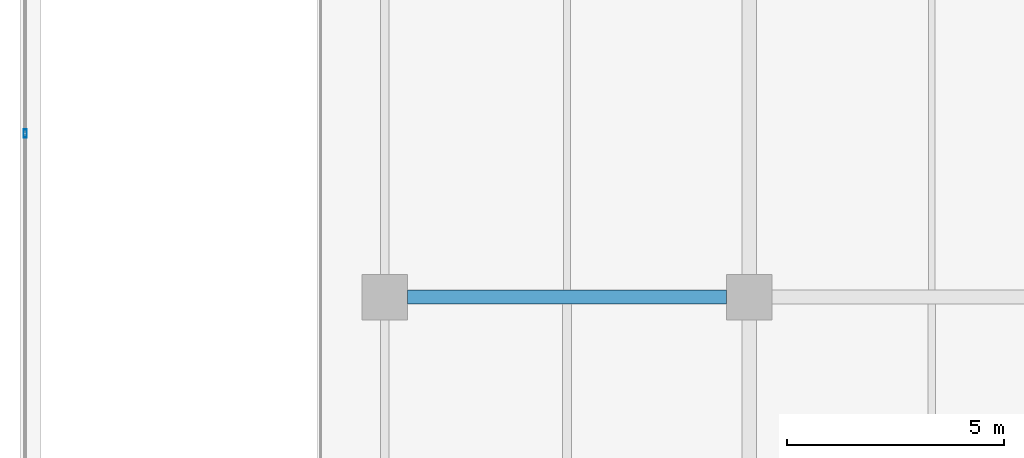
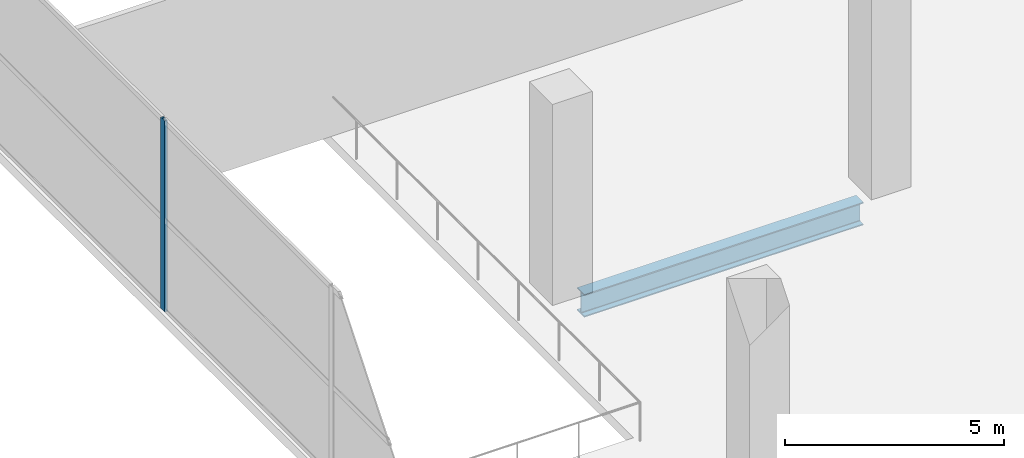
# One storey, part 10 of 35: 1 beam, 1 member, 1 element without a shape of its own.
"""IFC4 building model written with IfcOpenShell, lengths in metres."""

from ifc_helpers import new_model, si_unit, direction, frame, origin, origin_2d, place, context, subcontext, project, spatial, hollow_rectangle, i_section, extrude, material, layer, layer_set, material_profile, profile_set, type_object, element, aggregate, save


model = new_model("IFC4")

# Units and contexts
model_context = context("Model", 3, precision=1e-05, world=origin(), true_north=direction((0.0, 1.0)))
body_context = subcontext(model_context, "Body", "Model", "MODEL_VIEW")
ifc_project = project(units=[si_unit("LENGTHUNIT", "METRE"), si_unit("AREAUNIT", "SQUARE_METRE"), si_unit("VOLUMEUNIT", "CUBIC_METRE"), si_unit("PLANEANGLEUNIT", "RADIAN"), si_unit("MASSUNIT", "GRAM", prefix="KILO")], contexts=[model_context])

# Site, building, storey
site_placement = place(None, origin())
site = spatial("IfcSite", under=ifc_project, at=site_placement, CompositionType="ELEMENT")
building_placement = place(site_placement, origin())
building = spatial("IfcBuilding", under=site, at=building_placement, Name="Maruvema Waterfront Hotel and Observation Tower", CompositionType="ELEMENT")
storey_placement = place(building_placement, origin())
storey = spatial("IfcBuildingStorey", under=building, at=storey_placement, Name="L00", CompositionType="ELEMENT", Elevation=0.0)

# Curtain wall, member
ifc_material_1 = material(Name="Anodised bronze aluminium and solar-control low-E IGU", Category="aluminium")
ifc_layer = layer(ifc_material_1, 0.159912109375, Name="Podium Waterfront Storefront Curtain Wall System CW-01")
ifc_layer_set = layer_set([ifc_layer], Name="Anodised bronze aluminium and solar-control low-E IGU")
curtain_wall_type = type_object("IfcCurtainWallType", Name="Podium Waterfront Storefront Curtain Wall System CW-01", PredefinedType="USERDEFINED", material=ifc_layer_set)
curtain_wall_placement = place(storey_placement, origin())
curtain_wall = element("IfcCurtainWall", 1, at=curtain_wall_placement, inside=storey, type_object=curtain_wall_type, Name="L00 Curtain Wall CW-L00-W", ObjectType="UNITISED CURTAIN WALL", PredefinedType="USERDEFINED")
ifc_material_2 = material(Name="Anodised architectural bronze aluminium", Category="aluminium")
ifc_material_profile_1 = material_profile(ifc_material_2, hollow_rectangle(XDim=0.070068359375, YDim=0.18994140625, WallThickness=0.00390625, at=origin_2d()), Name="ALU-M70x190")
ifc_profile_set_1 = profile_set([ifc_material_profile_1], Name="Anodised architectural bronze aluminium")
member_type = type_object("IfcMemberType", Name="Podium Storefront Heavy Mullion ALU-M70x190", PredefinedType="MULLION", material=ifc_profile_set_1)
member_placement = place(storey_placement, frame((0.1201171875, 21.7666015625, 0.0), z_axis=(0.0, 0.0, 1.0), x_axis=(1.0, 0.0, 0.0)))
member = element("IfcMember", 2, at=member_placement, type_object=member_type, Name="CW-01 mullion 5", PredefinedType="MULLION", context=body_context, shape_type="SweptSolid", body=[
    extrude(hollow_rectangle(XDim=0.070068359375, YDim=0.18994140625, WallThickness=0.00390625, at=origin_2d()), origin(), (0.0, 0.0, 1.0), 5.320068359375),
])
aggregate(curtain_wall, [member])

# Beam
ifc_material_3 = material(Name="Steel ASTM A572 Grade 50", Category="steel")
ifc_material_profile_2 = material_profile(ifc_material_3, i_section(OverallWidth=0.3291015625, OverallDepth=0.635009765625, WebThickness=0.017822265625, FlangeThickness=0.031005859375, FilletRadius=0.01806640625, at=origin_2d()), Name="W610x241.0")
ifc_profile_set_2 = profile_set([ifc_material_profile_2], Name="Steel ASTM A572 Grade 50")
beam_type = type_object("IfcBeamType", Name="Primary Floor Girder W610x241.0", PredefinedType="BEAM", material=ifc_profile_set_2)
beam_placement = place(storey_placement, frame((8.925048828125, 18.0, -0.597412109375), z_axis=(1.0, 0.0, 0.0), x_axis=(0.0, 1.0, 0.0)))
element("IfcBeam", 3, at=beam_placement, inside=storey, type_object=beam_type, Name="L00 Floor Girder EW-17", PredefinedType="BEAM", context=body_context, shape_type="SweptSolid", body=[
    extrude(i_section(OverallWidth=0.3291015625, OverallDepth=0.635009765625, WebThickness=0.017822265625, FlangeThickness=0.031005859375, FilletRadius=0.01806640625, at=origin_2d()), origin(), (0.0, 0.0, 1.0), 7.349853515625),
])

save(model, "model.ifc")
